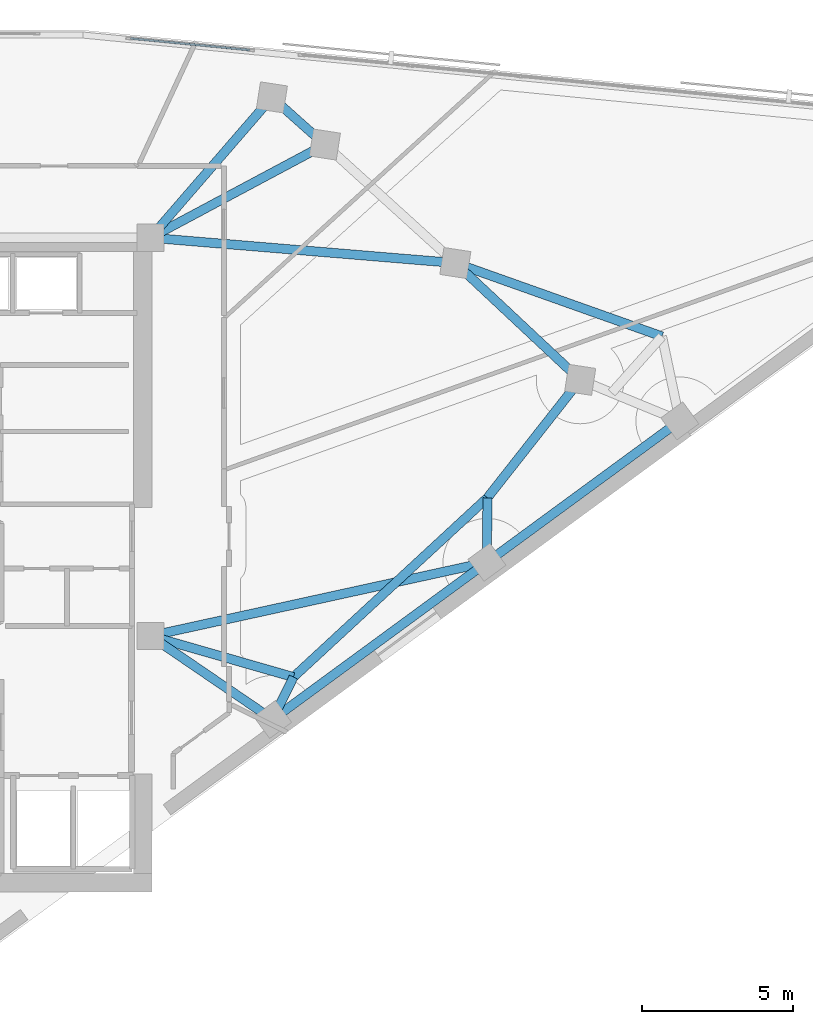
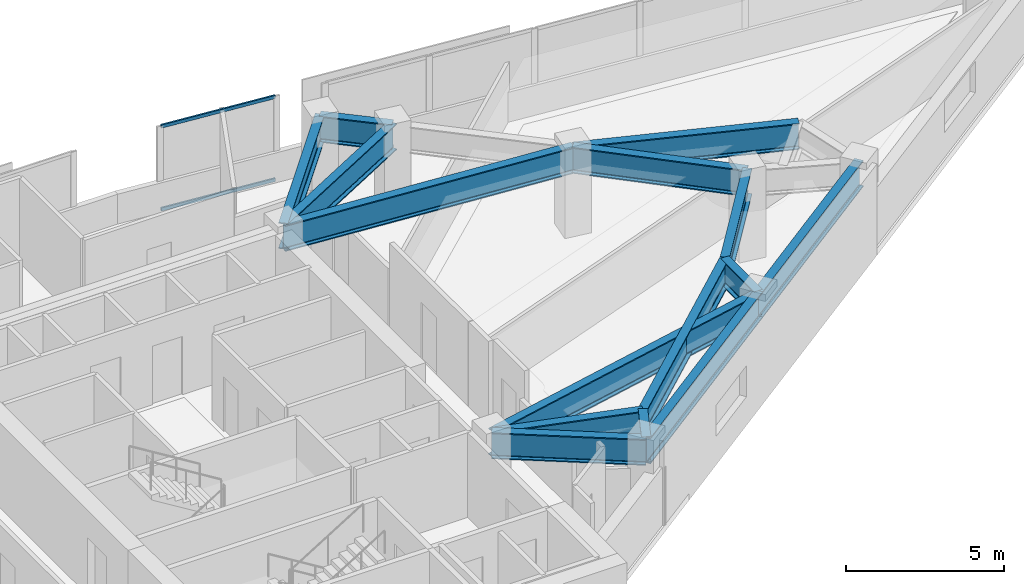
# One storey, part 4 of 14: 15 beams, 2 members, 1 element without a shape of its own.
"""IFC4 building model written with IfcOpenShell, lengths in metres."""

from ifc_helpers import new_model, si_unit, direction, frame, origin, origin_2d, place, context, subcontext, project, spatial, hollow_rectangle, i_section, extrude, material, material_profile, profile_set, type_object, element, aggregate, save


model = new_model("IFC4")

# Units and contexts
model_context = context("Model", 3, precision=1e-05, world=origin(), true_north=direction((0.0, 1.0)))
body_context = subcontext(model_context, "Body", "Model", "MODEL_VIEW")
ifc_project = project(units=[si_unit("LENGTHUNIT", "METRE"), si_unit("AREAUNIT", "SQUARE_METRE"), si_unit("VOLUMEUNIT", "CUBIC_METRE"), si_unit("PLANEANGLEUNIT", "RADIAN"), si_unit("MASSUNIT", "GRAM", prefix="KILO")], contexts=[model_context])

# Site, building, storey
site_placement = place(None, origin())
site = spatial("IfcSite", under=ifc_project, at=site_placement, CompositionType="ELEMENT")
building_placement = place(site_placement, origin())
building = spatial("IfcBuilding", under=site, at=building_placement, Name="Narakoshi Arena Tower", CompositionType="ELEMENT")
storey_placement = place(building_placement, frame((0.0, 0.0, 260.739990234375)))
storey = spatial("IfcBuildingStorey", under=building, at=storey_placement, Name="L71", CompositionType="ELEMENT", Elevation=260.739990234375)

# Beams
ifc_material_1 = material(Name="Structural steel S460ML", Category="steel")
ifc_material_profile_1 = material_profile(ifc_material_1, i_section(OverallWidth=0.302001953125, OverallDepth=1.008056640625, WebThickness=0.02099609375, FlangeThickness=0.0400390625, FilletRadius=0.030029296875, at=origin_2d()), Name="HE1000M")
ifc_profile_set_1 = profile_set([ifc_material_profile_1], Name="Structural steel S460ML")
beam_type = type_object("IfcBeamType", Name="BM-XFER-1000", PredefinedType="BEAM", material=ifc_profile_set_1)
beam_1_placement = place(storey_placement, frame((89.58642578125, 40.594482421875, 2.756103515625), z_axis=(0.806446564509, 0.591306974922, 0.0), x_axis=(-0.591306974922, 0.806446564509, 0.0)))
element("IfcBeam", 1, at=beam_1_placement, inside=storey, type_object=beam_type, Name="L71 Perimeter Transfer Ring Girder 01", PredefinedType="BEAM", context=body_context, shape_type="SweptSolid", body=[
    extrude(i_section(OverallWidth=0.302001953125, OverallDepth=1.008056640625, WebThickness=0.02099609375, FlangeThickness=0.0400390625, FilletRadius=0.030029296875, at=origin_2d()), origin(), (0.0, 0.0, 1.0), 8.775390625),
])
beam_2_placement = place(storey_placement, frame((96.663330078125, 45.783447265625, 2.756103515625), z_axis=(0.806437425649, 0.59131943864, 0.0), x_axis=(-0.59131943864, 0.806437425649, 0.0)))
element("IfcBeam", 2, at=beam_2_placement, inside=storey, type_object=beam_type, Name="L71 Perimeter Transfer Ring Girder 02", PredefinedType="BEAM", context=body_context, shape_type="SweptSolid", body=[
    extrude(i_section(OverallWidth=0.302001953125, OverallDepth=1.008056640625, WebThickness=0.02099609375, FlangeThickness=0.0400390625, FilletRadius=0.030029296875, at=origin_2d()), origin(), (0.0, 0.0, 1.0), 7.89794921875),
])
beam_3_placement = place(storey_placement, frame((99.74267578125, 51.80712890625, 2.756103515625), z_axis=(-0.730193480459, 0.683240427006, 0.0), x_axis=(-0.683240427006, -0.730193480459, 0.0)))
element("IfcBeam", 3, at=beam_3_placement, inside=storey, type_object=beam_type, Name="L71 Perimeter Transfer Ring Girder 04", PredefinedType="BEAM", context=body_context, shape_type="SweptSolid", body=[
    extrude(i_section(OverallWidth=0.302001953125, OverallDepth=1.008056640625, WebThickness=0.02099609375, FlangeThickness=0.0400390625, FilletRadius=0.030029296875, at=origin_2d()), origin(), (0.0, 0.0, 1.0), 5.646728515625),
])
beam_4_placement = place(storey_placement, frame((91.311279296875, 59.576416015625, 2.756103515625), z_axis=(-0.746770864852, 0.665081405099, 0.0), x_axis=(-0.665081405099, -0.746770864852, 0.0)))
element("IfcBeam", 4, at=beam_4_placement, inside=storey, type_object=beam_type, Name="L71 Perimeter Transfer Ring Girder 06", PredefinedType="BEAM", context=body_context, shape_type="SweptSolid", body=[
    extrude(i_section(OverallWidth=0.302001953125, OverallDepth=1.008056640625, WebThickness=0.02099609375, FlangeThickness=0.0400390625, FilletRadius=0.030029296875, at=origin_2d()), origin(), (0.0, 0.0, 1.0), 2.343017578125),
])
beam_5_placement = place(storey_placement, frame((85.550048828125, 43.35009765625, 2.756103515625), z_axis=(0.825890057955, -0.563831191201, 0.0), x_axis=(0.563831191201, 0.825890057955, 0.0)))
element("IfcBeam", 5, at=beam_5_placement, inside=storey, type_object=beam_type, Name="L71 Lower Transfer Radial Girder 01", PredefinedType="BEAM", context=body_context, shape_type="SweptSolid", body=[
    extrude(i_section(OverallWidth=0.302001953125, OverallDepth=1.008056640625, WebThickness=0.02099609375, FlangeThickness=0.0400390625, FilletRadius=0.030029296875, at=origin_2d()), origin(), (0.0, 0.0, 1.0), 4.88720703125),
])
beam_6_placement = place(storey_placement, frame((85.550048828125, 43.35009765625, 2.756103515625), z_axis=(0.976857438099, 0.213891434216, 0.0), x_axis=(-0.213891434216, 0.976857438099, 0.0)))
element("IfcBeam", 6, at=beam_6_placement, inside=storey, type_object=beam_type, Name="L71 Lower Transfer Radial Girder 02", PredefinedType="BEAM", context=body_context, shape_type="SweptSolid", body=[
    extrude(i_section(OverallWidth=0.302001953125, OverallDepth=1.008056640625, WebThickness=0.02099609375, FlangeThickness=0.0400390625, FilletRadius=0.030029296875, at=origin_2d()), origin(), (0.0, 0.0, 1.0), 11.37646484375),
])
beam_7_placement = place(storey_placement, frame((85.550048828125, 56.5, 2.756103515625), z_axis=(0.99658165928, -0.082613536347, 0.0), x_axis=(0.082613536347, 0.99658165928, 0.0)))
element("IfcBeam", 7, at=beam_7_placement, inside=storey, type_object=beam_type, Name="L71 Lower Transfer Radial Girder 05", PredefinedType="BEAM", context=body_context, shape_type="SweptSolid", body=[
    extrude(i_section(OverallWidth=0.302001953125, OverallDepth=1.008056640625, WebThickness=0.02099609375, FlangeThickness=0.0400390625, FilletRadius=0.030029296875, at=origin_2d()), origin(), (0.0, 0.0, 1.0), 10.103759765625),
])
beam_8_placement = place(storey_placement, frame((85.550048828125, 56.5, 2.756103515625), z_axis=(0.882113796729, 0.471036357004, 0.0), x_axis=(-0.471036357004, 0.882113796729, 0.0)))
element("IfcBeam", 8, at=beam_8_placement, inside=storey, type_object=beam_type, Name="L71 Lower Transfer Radial Girder 06", PredefinedType="BEAM", context=body_context, shape_type="SweptSolid", body=[
    extrude(i_section(OverallWidth=0.302001953125, OverallDepth=1.008056640625, WebThickness=0.02099609375, FlangeThickness=0.0400390625, FilletRadius=0.030029296875, at=origin_2d()), origin(), (0.0, 0.0, 1.0), 6.53125),
])
beam_9_placement = place(storey_placement, frame((85.550048828125, 56.5, 2.756103515625), z_axis=(0.654434553487, 0.756118651537, 0.0), x_axis=(-0.756118651537, 0.654434553487, 0.0)))
element("IfcBeam", 9, at=beam_9_placement, inside=storey, type_object=beam_type, Name="L71 Lower Transfer Radial Girder 07", PredefinedType="BEAM", context=body_context, shape_type="SweptSolid", body=[
    extrude(i_section(OverallWidth=0.302001953125, OverallDepth=1.008056640625, WebThickness=0.02099609375, FlangeThickness=0.0400390625, FilletRadius=0.030029296875, at=origin_2d()), origin(), (0.0, 0.0, 1.0), 6.129638671875),
])
beam_10_placement = place(storey_placement, frame((89.58642578125, 40.594482421875, 2.756103515625), z_axis=(0.440934883912, 0.897539095611, 0.0), x_axis=(-0.897539095611, 0.440934883912, 0.0)))
element("IfcBeam", 10, at=beam_10_placement, inside=storey, type_object=beam_type, Name="L71 Block-Turn Transfer Node Girder 01-1", PredefinedType="BEAM", context=body_context, shape_type="SweptSolid", body=[
    extrude(i_section(OverallWidth=0.302001953125, OverallDepth=1.008056640625, WebThickness=0.02099609375, FlangeThickness=0.0400390625, FilletRadius=0.030029296875, at=origin_2d()), origin(), (0.0, 0.0, 1.0), 1.55810546875),
])
beam_11_placement = place(storey_placement, frame((85.550048828125, 43.35009765625, 2.756103515625), z_axis=(0.961112330887, -0.276157721993, 0.0), x_axis=(0.276157721993, 0.961112330887, 0.0)))
element("IfcBeam", 11, at=beam_11_placement, inside=storey, type_object=beam_type, Name="L71 Block-Turn Transfer Node Girder 01-2", PredefinedType="BEAM", context=body_context, shape_type="SweptSolid", body=[
    extrude(i_section(OverallWidth=0.302001953125, OverallDepth=1.008056640625, WebThickness=0.02099609375, FlangeThickness=0.0400390625, FilletRadius=0.030029296875, at=origin_2d()), origin(), (0.0, 0.0, 1.0), 4.91455078125),
])
beam_12_placement = place(storey_placement, frame((96.663330078125, 45.783447265625, 2.756103515625), z_axis=(0.007219614727, 0.999973938242, 0.0), x_axis=(-0.999973938242, 0.007219614727, 0.0)))
element("IfcBeam", 12, at=beam_12_placement, inside=storey, type_object=beam_type, Name="L71 Block-Turn Transfer Node Girder 02-1", PredefinedType="BEAM", context=body_context, shape_type="SweptSolid", body=[
    extrude(i_section(OverallWidth=0.302001953125, OverallDepth=1.008056640625, WebThickness=0.02099609375, FlangeThickness=0.0400390625, FilletRadius=0.030029296875, at=origin_2d()), origin(), (0.0, 0.0, 1.0), 2.13037109375),
])
beam_13_placement = place(storey_placement, frame((99.74267578125, 51.80712890625, 2.756103515625), z_axis=(-0.618437258053, -0.785834179615, 0.0), x_axis=(0.785834179615, -0.618437258053, 0.0)))
element("IfcBeam", 13, at=beam_13_placement, inside=storey, type_object=beam_type, Name="L71 Block-Turn Transfer Node Girder 02-2", PredefinedType="BEAM", context=body_context, shape_type="SweptSolid", body=[
    extrude(i_section(OverallWidth=0.302001953125, OverallDepth=1.008056640625, WebThickness=0.02099609375, FlangeThickness=0.0400390625, FilletRadius=0.030029296875, at=origin_2d()), origin(), (0.0, 0.0, 1.0), 4.954345703125),
])
beam_14_placement = place(storey_placement, frame((95.619384765625, 55.665283203125, 2.756103515625), z_axis=(0.942365004243, -0.334586608784, 0.0), x_axis=(0.334586608784, 0.942365004243, 0.0)))
element("IfcBeam", 14, at=beam_14_placement, inside=storey, type_object=beam_type, Name="L71 Block-Turn Transfer Node Girder 03-2", PredefinedType="BEAM", context=body_context, shape_type="SweptSolid", body=[
    extrude(i_section(OverallWidth=0.302001953125, OverallDepth=1.008056640625, WebThickness=0.02099609375, FlangeThickness=0.0400390625, FilletRadius=0.030029296875, at=origin_2d()), origin(), (0.0, 0.0, 1.0), 7.2412109375),
])
beam_15_placement = place(storey_placement, frame((90.2734375, 41.992919921875, 2.756103515625), z_axis=(0.734326819586, 0.678796082809, 0.0), x_axis=(-0.678796082809, 0.734326819586, 0.0)))
element("IfcBeam", 15, at=beam_15_placement, inside=storey, type_object=beam_type, Name="L71 Upper-Block Transfer Ring Girder 01", PredefinedType="BEAM", context=body_context, shape_type="SweptSolid", body=[
    extrude(i_section(OverallWidth=0.302001953125, OverallDepth=1.008056640625, WebThickness=0.02099609375, FlangeThickness=0.0400390625, FilletRadius=0.030029296875, at=origin_2d()), origin(), (0.0, 0.0, 1.0), 8.72265625),
])

# Curtain wall, members
ifc_material_2 = material(Name="Anodised bronze aluminium 6063-T6", Category="aluminium")
curtain_wall_type = type_object("IfcCurtainWallType", Name="CW-HYP-HIGH", PredefinedType="NOTDEFINED", material=ifc_material_2)
curtain_wall_placement = place(storey_placement, origin())
curtain_wall = element("IfcCurtainWall", 16, at=curtain_wall_placement, inside=storey, type_object=curtain_wall_type, Name="L71 Folded Hypotenuse Curtain Wall 1-2", PredefinedType="NOTDEFINED")
ifc_material_profile_2 = material_profile(ifc_material_2, hollow_rectangle(XDim=0.06494140625, YDim=0.1298828125, WallThickness=0.00390625, OuterFilletRadius=0.0048828125, at=origin_2d()), Name="TRN130x65x4")
ifc_profile_set_2 = profile_set([ifc_material_profile_2], Name="Anodised bronze aluminium 6063-T6")
member_type = type_object("IfcMemberType", Name="MEM-TRN-130", PredefinedType="USERDEFINED", material=ifc_profile_set_2)
member_1_placement = place(storey_placement, frame((88.830810546875, 62.69775390625, 0.032470703125), z_axis=(-0.995301216231, 0.096827108647, 0.0), x_axis=(-0.096827108647, -0.995301216231, 0.0)))
member_1 = element("IfcMember", 17, at=member_1_placement, type_object=member_type, Name="CW-03 transom 1.1", ObjectType="TRANSOM", PredefinedType="USERDEFINED", context=body_context, shape_type="SweptSolid", body=[
    extrude(hollow_rectangle(XDim=0.06494140625, YDim=0.1298828125, WallThickness=0.00390625, OuterFilletRadius=0.0048828125, at=origin_2d()), origin(), (0.0, 0.0, 1.0), 3.9560546875),
])
member_2_placement = place(storey_placement, frame((88.830810546875, 62.69775390625, 3.2275390625), z_axis=(-0.995301216231, 0.096827108647, 0.0), x_axis=(-0.096827108647, -0.995301216231, 0.0)))
member_2 = element("IfcMember", 18, at=member_2_placement, type_object=member_type, Name="CW-03 transom 1.2", ObjectType="TRANSOM", PredefinedType="USERDEFINED", context=body_context, shape_type="SweptSolid", body=[
    extrude(hollow_rectangle(XDim=0.06494140625, YDim=0.1298828125, WallThickness=0.00390625, OuterFilletRadius=0.0048828125, at=origin_2d()), origin(), (0.0, 0.0, 1.0), 3.9560546875),
])
aggregate(curtain_wall, [member_1, member_2])

save(model, "model.ifc")
